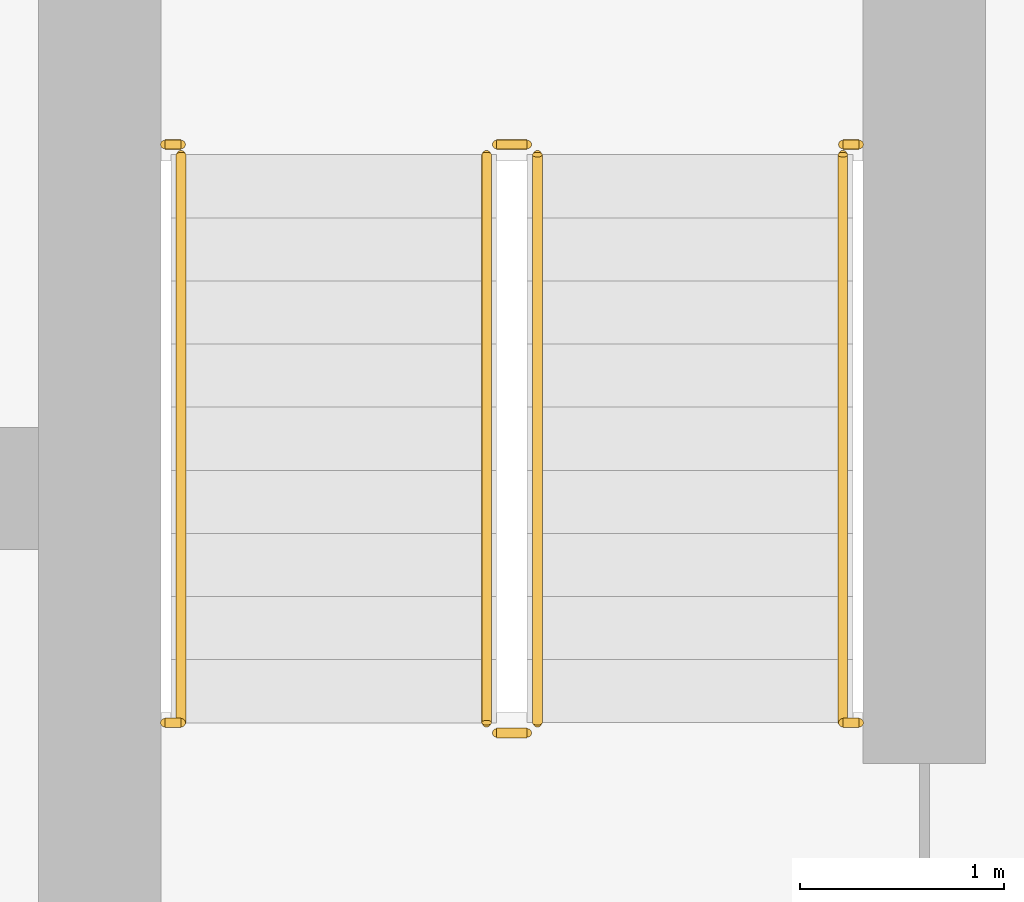
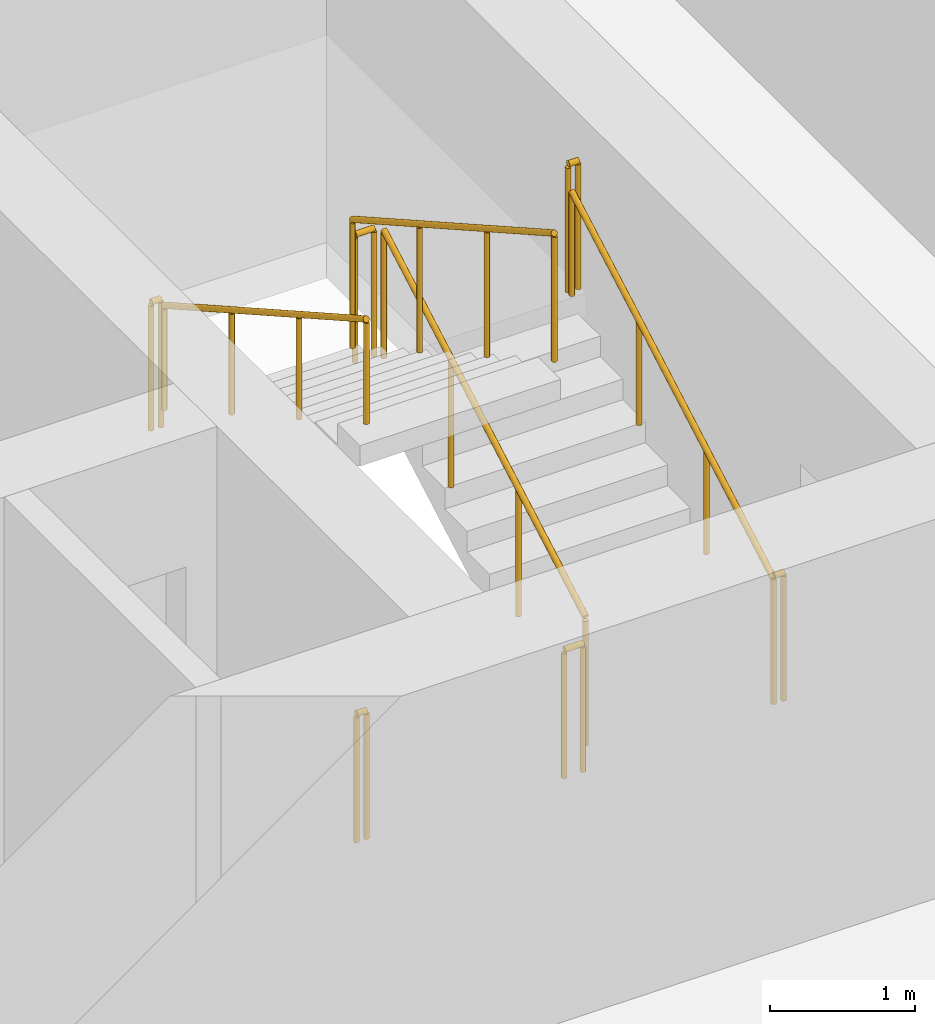
# One storey, part 20 of 22: 10 railings.
"""IFC4 building model written with IfcOpenShell, lengths in metres."""

from ifc_helpers import new_model, si_unit, direction, frame, origin, origin_2d, place, context, subcontext, project, spatial, circle, extrude, material, type_object, element, save


model = new_model("IFC4")

# Units and contexts
model_context = context("Model", 3, precision=1e-05, world=origin(), true_north=direction((0.0, 1.0)))
body_context = subcontext(model_context, "Body", "Model", "MODEL_VIEW")
ifc_project = project(units=[si_unit("LENGTHUNIT", "METRE"), si_unit("AREAUNIT", "SQUARE_METRE"), si_unit("VOLUMEUNIT", "CUBIC_METRE"), si_unit("PLANEANGLEUNIT", "RADIAN"), si_unit("MASSUNIT", "GRAM", prefix="KILO")], contexts=[model_context])

# Site, building, storey
site_placement = place(None, origin())
site = spatial("IfcSite", under=ifc_project, at=site_placement, CompositionType="ELEMENT")
building_placement = place(site_placement, origin())
building = spatial("IfcBuilding", under=site, at=building_placement, Name="Madar Terraces", CompositionType="ELEMENT")
storey_placement = place(building_placement, frame((0.0, 0.0, 159.5)))
storey = spatial("IfcBuildingStorey", under=building, at=storey_placement, Name="L41", CompositionType="ELEMENT", Elevation=159.5)

# Railings
ifc_material_1 = material(Name="Stainless steel railing", Category="steel")
railing_type_1 = type_object("IfcRailingType", Name="Stair guard 1100", PredefinedType="GUARDRAIL", material=ifc_material_1)
railing_1_placement = place(storey_placement, frame((41.449951171875, 17.60009765625, 0.175048828125)))
element("IfcRailing", 1, at=railing_1_placement, inside=storey, type_object=railing_type_1, Name="L41 ST3 stair guard 1", PredefinedType="GUARDRAIL", context=body_context, shape_type="SweptSolid", body=[
    extrude(circle(Radius=0.02392578125, at=origin_2d()), frame((0.0, 0.0, 1.076171875), z_axis=(0.0, 0.870815363784, 0.491610213684), x_axis=(-1.0, 0.0, 0.0)), (0.0, 0.0, 1.0), 3.20361328125),
    extrude(circle(Radius=0.02099609375, at=origin_2d()), origin(), (0.0, 0.0, 1.0), 1.052001953125),
    extrude(circle(Radius=0.02099609375, at=origin_2d()), frame((0.0, 0.929931640625, 0.52490234375)), (0.0, 0.0, 1.0), 1.052001953125),
    extrude(circle(Radius=0.02099609375, at=origin_2d()), frame((0.0, 1.85986328125, 1.050048828125)), (0.0, 0.0, 1.0), 1.052001953125),
    extrude(circle(Radius=0.02099609375, at=origin_2d()), frame((0.0, 2.789794921875, 1.574951171875)), (0.0, 0.0, 1.0), 1.052001953125),
])
railing_2_placement = place(storey_placement, frame((41.39990234375, 20.43994140625, 1.75)))
element("IfcRailing", 2, at=railing_2_placement, inside=storey, type_object=railing_type_1, Name="L41 ST3 stair guard 2", PredefinedType="GUARDRAIL", context=body_context, shape_type="SweptSolid", body=[
    extrude(circle(Radius=0.02392578125, at=origin_2d()), frame((0.0, 0.0, 1.076171875), z_axis=(-1.0, 0.0, 0.0), x_axis=(0.0, -1.0, 0.0)), (0.0, 0.0, 1.0), 0.14990234375),
    extrude(circle(Radius=0.02099609375, at=origin_2d()), origin(), (0.0, 0.0, 1.0), 1.052001953125),
    extrude(circle(Radius=0.02099609375, at=origin_2d()), frame((-0.14990234375, 0.0, 0.0)), (0.0, 0.0, 1.0), 1.052001953125),
])
railing_3_placement = place(storey_placement, frame((41.199951171875, 20.389892578125, 1.925048828125)))
element("IfcRailing", 3, at=railing_3_placement, inside=storey, type_object=railing_type_1, Name="L41 ST3 stair guard 3", PredefinedType="GUARDRAIL", context=body_context, shape_type="SweptSolid", body=[
    extrude(circle(Radius=0.02392578125, at=origin_2d()), frame((0.0, 0.0, 1.076171875), z_axis=(0.0, -0.870815363784, 0.491610213684), x_axis=(1.0, 0.0, 0.0)), (0.0, 0.0, 1.0), 3.20361328125),
    extrude(circle(Radius=0.02099609375, at=origin_2d()), origin(), (0.0, 0.0, 1.0), 1.052001953125),
    extrude(circle(Radius=0.02099609375, at=origin_2d()), frame((0.0, -0.929931640625, 0.52490234375)), (0.0, 0.0, 1.0), 1.052001953125),
    extrude(circle(Radius=0.02099609375, at=origin_2d()), frame((0.0, -1.85986328125, 1.050048828125)), (0.0, 0.0, 1.0), 1.052001953125),
    extrude(circle(Radius=0.02099609375, at=origin_2d()), frame((0.0, -2.789794921875, 1.574951171875)), (0.0, 0.0, 1.0), 1.052001953125),
])
railing_4_placement = place(storey_placement, frame((41.39990234375, 17.550048828125, 0.0)))
element("IfcRailing", 4, at=railing_4_placement, inside=storey, type_object=railing_type_1, Name="L41 ST3 stair guard 4", PredefinedType="GUARDRAIL", context=body_context, shape_type="SweptSolid", body=[
    extrude(circle(Radius=0.02392578125, at=origin_2d()), frame((0.0, 0.0, 1.076171875), z_axis=(-1.0, 0.0, 0.0), x_axis=(0.0, -1.0, 0.0)), (0.0, 0.0, 1.0), 0.14990234375),
    extrude(circle(Radius=0.02099609375, at=origin_2d()), origin(), (0.0, 0.0, 1.0), 1.052001953125),
    extrude(circle(Radius=0.02099609375, at=origin_2d()), frame((-0.14990234375, 0.0, 0.0)), (0.0, 0.0, 1.0), 1.052001953125),
])
railing_5_placement = place(storey_placement, frame((39.6201171875, 20.43994140625, 1.75)))
element("IfcRailing", 5, at=railing_5_placement, inside=storey, type_object=railing_type_1, Name="L41 stair guard seat 1", PredefinedType="GUARDRAIL", context=body_context, shape_type="SweptSolid", body=[
    extrude(circle(Radius=0.02392578125, at=origin_2d()), frame((0.0, 0.0, 1.076171875), z_axis=(1.0, 0.0, 0.0), x_axis=(0.0, 1.0, 0.0)), (0.0, 0.0, 1.0), 0.079833984375),
    extrude(circle(Radius=0.02099609375, at=origin_2d()), origin(), (0.0, 0.0, 1.0), 1.052001953125),
    extrude(circle(Radius=0.02099609375, at=origin_2d()), frame((0.079833984375, 0.0, 0.0)), (0.0, 0.0, 1.0), 1.052001953125),
])
railing_6_placement = place(storey_placement, frame((42.949951171875, 20.43994140625, 1.75)))
element("IfcRailing", 6, at=railing_6_placement, inside=storey, type_object=railing_type_1, Name="L41 stair guard seat 2", PredefinedType="GUARDRAIL", context=body_context, shape_type="SweptSolid", body=[
    extrude(circle(Radius=0.02392578125, at=origin_2d()), frame((0.0, 0.0, 1.076171875), z_axis=(1.0, 0.0, 0.0), x_axis=(0.0, 1.0, 0.0)), (0.0, 0.0, 1.0), 0.080078125),
    extrude(circle(Radius=0.02099609375, at=origin_2d()), origin(), (0.0, 0.0, 1.0), 1.052001953125),
    extrude(circle(Radius=0.02099609375, at=origin_2d()), frame((0.080078125, 0.0, 0.0)), (0.0, 0.0, 1.0), 1.052001953125),
])
railing_7_placement = place(storey_placement, frame((39.6201171875, 17.60009765625, 0.0)))
element("IfcRailing", 7, at=railing_7_placement, inside=storey, type_object=railing_type_1, Name="L41 stair guard floor 1", PredefinedType="GUARDRAIL", context=body_context, shape_type="SweptSolid", body=[
    extrude(circle(Radius=0.02392578125, at=origin_2d()), frame((0.0, 0.0, 1.076171875), z_axis=(1.0, 0.0, 0.0), x_axis=(0.0, 1.0, 0.0)), (0.0, 0.0, 1.0), 0.079833984375),
    extrude(circle(Radius=0.02099609375, at=origin_2d()), origin(), (0.0, 0.0, 1.0), 1.052001953125),
    extrude(circle(Radius=0.02099609375, at=origin_2d()), frame((0.079833984375, 0.0, 0.0)), (0.0, 0.0, 1.0), 1.052001953125),
])
railing_8_placement = place(storey_placement, frame((42.949951171875, 17.60009765625, 0.0)))
element("IfcRailing", 8, at=railing_8_placement, inside=storey, type_object=railing_type_1, Name="L41 stair guard floor 2", PredefinedType="GUARDRAIL", context=body_context, shape_type="SweptSolid", body=[
    extrude(circle(Radius=0.02392578125, at=origin_2d()), frame((0.0, 0.0, 1.076171875), z_axis=(1.0, 0.0, 0.0), x_axis=(0.0, 1.0, 0.0)), (0.0, 0.0, 1.0), 0.080078125),
    extrude(circle(Radius=0.02099609375, at=origin_2d()), origin(), (0.0, 0.0, 1.0), 1.052001953125),
    extrude(circle(Radius=0.02099609375, at=origin_2d()), frame((0.080078125, 0.0, 0.0)), (0.0, 0.0, 1.0), 1.052001953125),
])
ifc_material_2 = material(Name="Stainless steel railing", Category="steel")
railing_type_2 = type_object("IfcRailingType", Name="Stair handrail 900", PredefinedType="HANDRAIL", material=ifc_material_2)
railing_9_placement = place(storey_placement, frame((42.949951171875, 17.60009765625, 0.175048828125)))
element("IfcRailing", 9, at=railing_9_placement, inside=storey, type_object=railing_type_2, Name="L41 ST3 stair handrail 1", PredefinedType="HANDRAIL", context=body_context, shape_type="SweptSolid", body=[
    extrude(circle(Radius=0.02392578125, at=origin_2d()), frame((0.0, 0.0, 0.8759765625), z_axis=(0.0, 0.870815363784, 0.491610213684), x_axis=(-1.0, 0.0, 0.0)), (0.0, 0.0, 1.0), 3.20361328125),
    extrude(circle(Radius=0.02099609375, at=origin_2d()), origin(), (0.0, 0.0, 1.0), 0.851806640625),
    extrude(circle(Radius=0.02099609375, at=origin_2d()), frame((0.0, 0.929931640625, 0.52490234375)), (0.0, 0.0, 1.0), 0.851806640625),
    extrude(circle(Radius=0.02099609375, at=origin_2d()), frame((0.0, 1.85986328125, 1.050048828125)), (0.0, 0.0, 1.0), 0.851806640625),
    extrude(circle(Radius=0.02099609375, at=origin_2d()), frame((0.0, 2.789794921875, 1.574951171875)), (0.0, 0.0, 1.0), 0.851806640625),
])
railing_10_placement = place(storey_placement, frame((39.699951171875, 20.389892578125, 1.925048828125)))
element("IfcRailing", 10, at=railing_10_placement, inside=storey, type_object=railing_type_2, Name="L41 ST3 stair handrail 2", PredefinedType="HANDRAIL", context=body_context, shape_type="SweptSolid", body=[
    extrude(circle(Radius=0.02392578125, at=origin_2d()), frame((0.0, 0.0, 0.8759765625), z_axis=(0.0, -0.870815363784, 0.491610213684), x_axis=(1.0, 0.0, 0.0)), (0.0, 0.0, 1.0), 3.20361328125),
    extrude(circle(Radius=0.02099609375, at=origin_2d()), origin(), (0.0, 0.0, 1.0), 0.851806640625),
    extrude(circle(Radius=0.02099609375, at=origin_2d()), frame((0.0, -0.929931640625, 0.52490234375)), (0.0, 0.0, 1.0), 0.851806640625),
    extrude(circle(Radius=0.02099609375, at=origin_2d()), frame((0.0, -1.85986328125, 1.050048828125)), (0.0, 0.0, 1.0), 0.851806640625),
    extrude(circle(Radius=0.02099609375, at=origin_2d()), frame((0.0, -2.789794921875, 1.574951171875)), (0.0, 0.0, 1.0), 0.851806640625),
])

save(model, "model.ifc")
